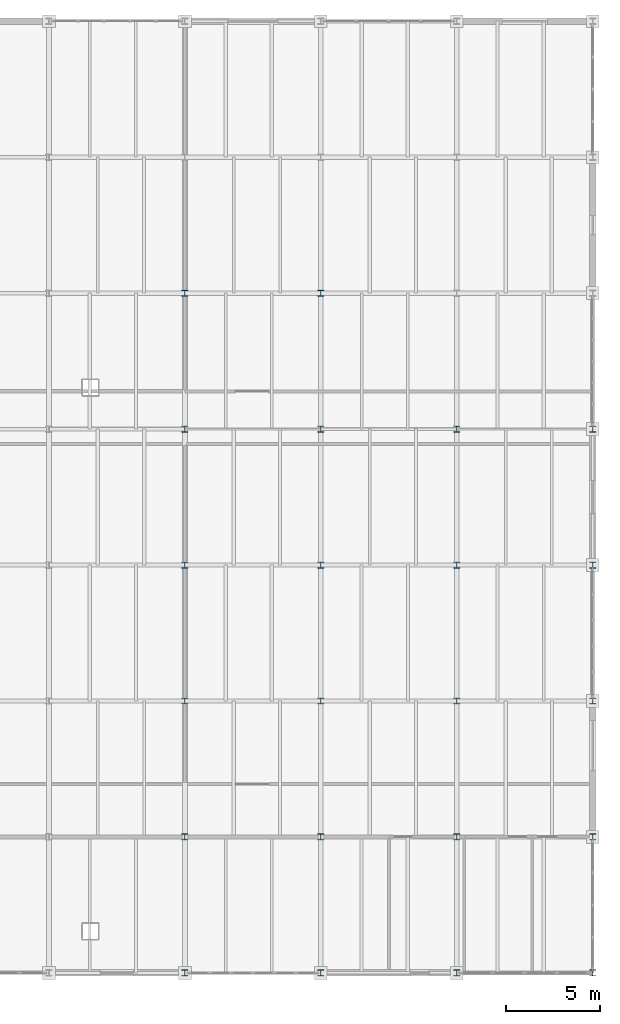
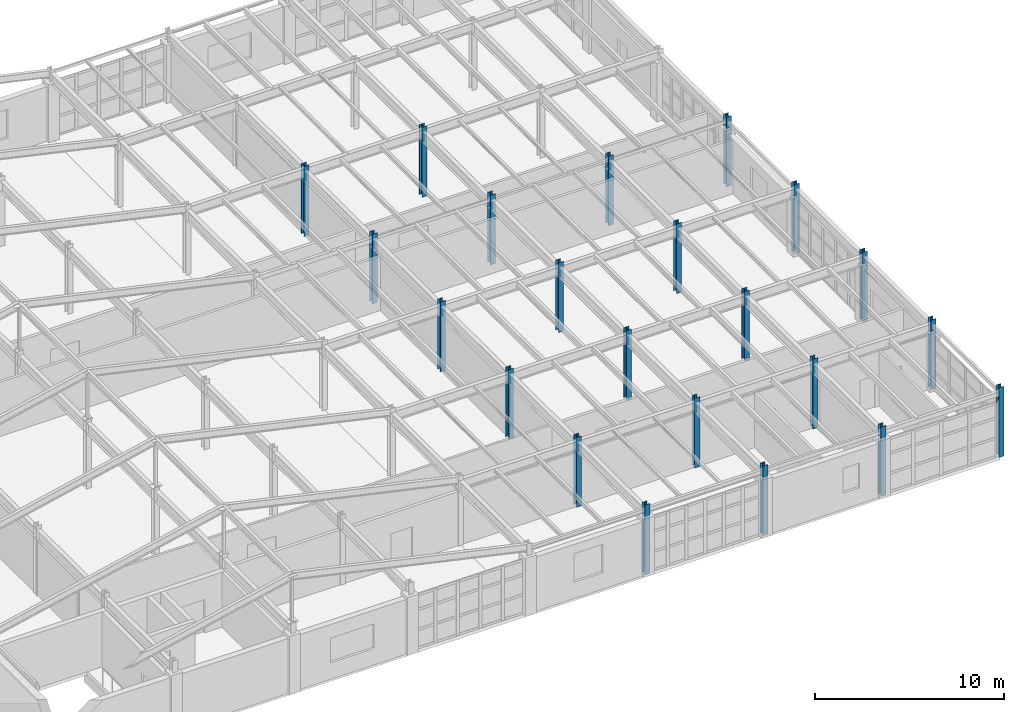
# One storey, part 17 of 137: 22 columns.
"""IFC4 building model written with IfcOpenShell, lengths in metres."""

from ifc_helpers import new_model, si_unit, direction, frame, origin, origin_2d, place, context, subcontext, project, spatial, i_section, extrude, material, material_profile, profile_set, type_object, element, save


model = new_model("IFC4")

# Units and contexts
model_context = context("Model", 3, precision=1e-05, world=origin(), true_north=direction((0.0, 1.0)))
body_context = subcontext(model_context, "Body", "Model", "MODEL_VIEW")
ifc_project = project(units=[si_unit("LENGTHUNIT", "METRE"), si_unit("AREAUNIT", "SQUARE_METRE"), si_unit("VOLUMEUNIT", "CUBIC_METRE"), si_unit("PLANEANGLEUNIT", "RADIAN"), si_unit("MASSUNIT", "GRAM", prefix="KILO")], contexts=[model_context])

# Site, building, storey
site_placement = place(None, origin())
site = spatial("IfcSite", under=ifc_project, at=site_placement, CompositionType="ELEMENT")
building_placement = place(site_placement, origin())
building = spatial("IfcBuilding", under=site, at=building_placement, Name="Kemerveld Promenade Tramway Depot", CompositionType="ELEMENT")
storey_placement = place(building_placement, frame((0.0, 0.0, 5.39990234375)))
storey = spatial("IfcBuildingStorey", under=building, at=storey_placement, Name="L01", CompositionType="ELEMENT", Elevation=5.39990234375)

# Columns
ifc_material = material(Name="Steel S355", Category="steel")
ifc_material_profile = material_profile(ifc_material, i_section(OverallWidth=0.307373046875, OverallDepth=0.314453125, WebThickness=0.011962890625, FlangeThickness=0.018798828125, FilletRadius=0.01513671875, at=origin_2d()), Name="305x305x118 UC")
ifc_profile_set = profile_set([ifc_material_profile], Name="Steel S355")
column_type = type_object("IfcColumnType", Name="COL-S06", PredefinedType="COLUMN", material=ifc_profile_set)
for number, where, z_axis, x_axis, name in (
    (1, (194.39990234375, 0.0, 0.0), (0.0, 0.0, 1.0), (1.0, 0.0, 0.0), "COL-L01-28-A"),
    (2, (194.39990234375, 7.199951171875, 0.0), (0.0, 0.0, 1.0), (1.0, 0.0, 0.0), "COL-L01-28-B"),
    (3, (194.39990234375, 14.39990234375, 0.0), (0.0, 0.0, 1.0), (1.0, 0.0, 0.0), "COL-L01-28-C"),
    (4, (194.39990234375, 21.60009765625, 0.0), (0.0, 0.0, 1.0), (1.0, 0.0, 0.0), "COL-L01-28-D"),
    (5, (194.39990234375, 28.800048828125, 0.0), (0.0, 0.0, 1.0), (1.0, 0.0, 0.0), "COL-L01-28-E"),
    (6, (194.39990234375, 36.0, 0.0), (0.0, 0.0, 1.0), (1.0, 0.0, 0.0), "COL-L01-28-F"),
    (7, (201.60009765625, 0.0, 0.0), (0.0, 0.0, 1.0), (1.0, 0.0, 0.0), "COL-L01-29-A"),
    (8, (201.60009765625, 7.199951171875, 0.0), (0.0, 0.0, 1.0), (1.0, 0.0, 0.0), "COL-L01-29-B"),
    (9, (201.60009765625, 14.39990234375, 0.0), (0.0, 0.0, 1.0), (1.0, 0.0, 0.0), "COL-L01-29-C"),
    (10, (201.60009765625, 21.60009765625, 0.0), (0.0, 0.0, 1.0), (1.0, 0.0, 0.0), "COL-L01-29-D"),
    (11, (201.60009765625, 28.800048828125, 0.0), (0.0, 0.0, 1.0), (1.0, 0.0, 0.0), "COL-L01-29-E"),
    (12, (201.60009765625, 36.0, 0.0), (0.0, 0.0, 1.0), (1.0, 0.0, 0.0), "COL-L01-29-F"),
    (13, (208.800048828125, 0.0, 0.0), (0.0, 0.0, 1.0), (1.0, 0.0, 0.0), "COL-L01-30-A"),
    (14, (208.800048828125, 7.199951171875, 0.0), (0.0, 0.0, 1.0), (1.0, 0.0, 0.0), "COL-L01-30-B"),
    (15, (208.800048828125, 14.39990234375, 0.0), (0.0, 0.0, 1.0), (1.0, 0.0, 0.0), "COL-L01-30-C"),
    (16, (208.800048828125, 21.60009765625, 0.0), (0.0, 0.0, 1.0), (1.0, 0.0, 0.0), "COL-L01-30-D"),
    (17, (208.800048828125, 28.800048828125, 0.0), (0.0, 0.0, 1.0), (1.0, 0.0, 0.0), "COL-L01-30-E"),
    (18, (216.0, 0.0, 0.0), (0.0, 0.0, 1.0), (1.0, 0.0, 0.0), "COL-L01-31-A"),
    (19, (216.0, 7.199951171875, 0.0), (0.0, 0.0, 1.0), (1.0, 0.0, 0.0), "COL-L01-31-B"),
    (20, (216.0, 14.39990234375, 0.0), (0.0, 0.0, 1.0), (1.0, 0.0, 0.0), "COL-L01-31-C"),
    (21, (216.0, 21.60009765625, 0.0), (0.0, 0.0, 1.0), (1.0, 0.0, 0.0), "COL-L01-31-D"),
    (22, (216.0, 28.800048828125, 0.0), (0.0, 0.0, 1.0), (1.0, 0.0, 0.0), "COL-L01-31-E"),
):
    element("IfcColumn", number, at=place(storey_placement, frame(where, z_axis=z_axis, x_axis=x_axis)), inside=storey, type_object=column_type, Name=name, PredefinedType="COLUMN", context=body_context, shape_type="SweptSolid", body=[
        extrude(i_section(OverallWidth=0.307373046875, OverallDepth=0.314453125, WebThickness=0.011962890625, FlangeThickness=0.018798828125, FilletRadius=0.01513671875, at=origin_2d()), origin(), (0.0, 0.0, 1.0), 4.5),
    ])

save(model, "model.ifc")
